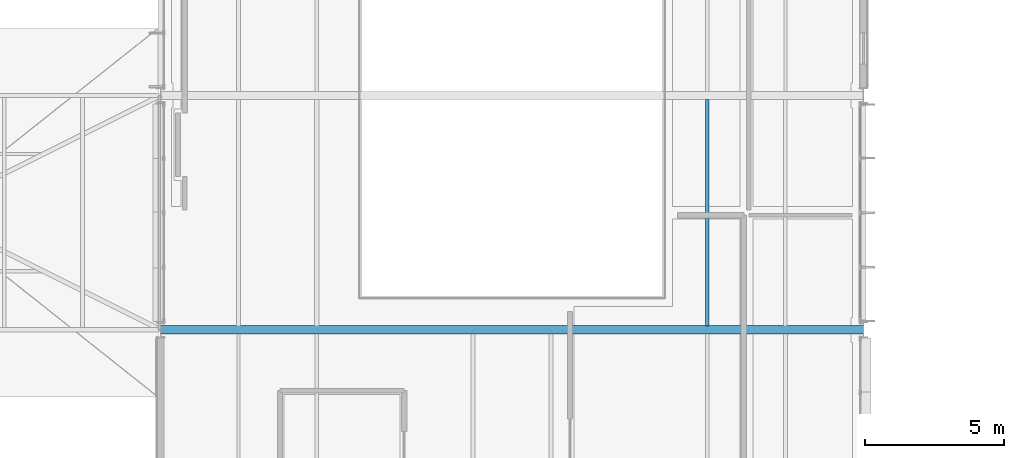
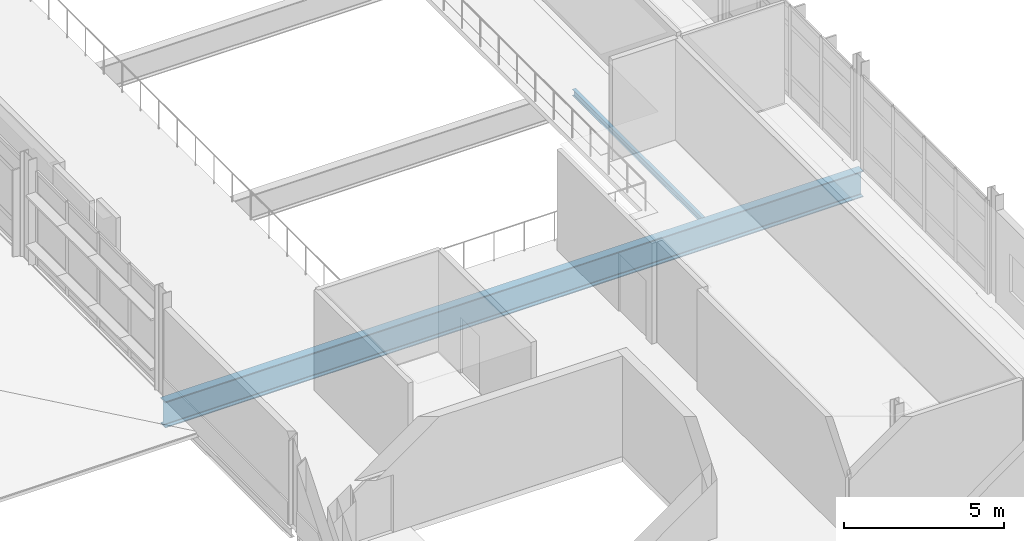
# One storey, part 33 of 151: 2 beams.
"""IFC4 building model written with IfcOpenShell, lengths in metres."""

import ifcopenshell
import ifcopenshell.guid

model = None  # the IFC model being written
_history = None  # IfcOwnerHistory: only IFC2X3 demands one
_inside = {}  # id of a spatial element -> (the spatial element, [elements in it])
_under = {}  # id of a project, library or spatial element -> (it, [spatial elements below it])
_declared = {}  # id of a project -> (the project, [libraries it declares])
_typed = {}  # id of a type object -> (the type object, [elements of that type])
_made_of = {}  # id of a material, layer set ... -> (it, [elements and type objects made of it])


def new_model(schema):
    """Start an empty IFC model of exactly this schema.

    Asked for "IFC4X3", IfcOpenShell would pick the latest addendum, in which some entities
    have other attributes; the version numbers below select the first issue.
    IFC2X3 requires an IfcOwnerHistory on every rooted entity: one is made here for all.
    """
    global model, _history
    if schema == "IFC4X3":
        model = ifcopenshell.file(schema_version=(4, 3, 0, 0))
    else:
        model = ifcopenshell.file(schema=schema)
    _inside.clear()
    _under.clear()
    _declared.clear()
    _typed.clear()
    _made_of.clear()
    _history = None
    if model.schema == "IFC2X3":
        org = make("IfcOrganization", Name="unknown")
        user = make(
            "IfcPersonAndOrganization",
            ThePerson=make("IfcPerson", FamilyName="unknown"),
            TheOrganization=org,
        )
        app = make(
            "IfcApplication",
            ApplicationDeveloper=org,
            Version="unknown",
            ApplicationFullName="unknown",
            ApplicationIdentifier="unknown",
        )
        _history = make(
            "IfcOwnerHistory",
            OwningUser=user,
            OwningApplication=app,
            ChangeAction="ADDED",
            CreationDate=0,
        )
    return model


def make(cls, **values):
    """One entity of the class cls with the attributes given. An attribute that is None is left unset."""
    return model.create_entity(
        cls, **{name: value for name, value in values.items() if value is not None}
    )


def rooted(cls, **values):
    """An entity with a GlobalId (a new one), such as an element, a storey or a relation."""
    return make(cls, GlobalId=ifcopenshell.guid.new(), OwnerHistory=_history, **values)


def si_unit(unit_type, name, prefix=None):
    """IfcSIUnit, for example si_unit("LENGTHUNIT", "METRE", prefix="MILLI")."""
    return make("IfcSIUnit", UnitType=unit_type, Prefix=prefix, Name=name)


def assignment(units):
    """IfcUnitAssignment: the units of a project."""
    return None if units is None else make("IfcUnitAssignment", Units=units)


def point(xyz):
    """IfcCartesianPoint."""
    return None if xyz is None else make("IfcCartesianPoint", Coordinates=xyz)


def direction(xyz):
    """IfcDirection."""
    return None if xyz is None else make("IfcDirection", DirectionRatios=xyz)


def frame(location, z_axis=None, x_axis=None):
    """IfcAxis2Placement3D, a coordinate frame: its origin and axes. An axis left out is left unset."""
    return make(
        "IfcAxis2Placement3D",
        Location=point(location),
        Axis=direction(z_axis),
        RefDirection=direction(x_axis),
    )


def frame_2d(location, x_axis=None):
    """IfcAxis2Placement2D, a coordinate frame in the plane: its origin and x axis."""
    return make(
        "IfcAxis2Placement2D", Location=point(location), RefDirection=direction(x_axis)
    )


def origin():
    """The frame at (0, 0, 0) with its axes left unset."""
    return frame((0.0, 0.0, 0.0))


def origin_2d():
    """The frame at (0, 0) in the plane with its x axis left unset."""
    return frame_2d((0.0, 0.0))


def place(relative_to, where):
    """IfcLocalPlacement: puts the frame where relative to a parent placement (None: the world)."""
    return make(
        "IfcLocalPlacement", PlacementRelTo=relative_to, RelativePlacement=where
    )


def context(
    kind, dimensions, precision=None, world=None, true_north=None, identifier=None
):
    """IfcGeometricRepresentationContext, for example the 3D "Model" context."""
    return make(
        "IfcGeometricRepresentationContext",
        ContextIdentifier=identifier,
        ContextType=kind,
        CoordinateSpaceDimension=dimensions,
        Precision=precision,
        WorldCoordinateSystem=world,
        TrueNorth=true_north,
    )


def subcontext(parent, identifier, kind, view, scale=None):
    """IfcGeometricRepresentationSubContext, for example "Body" below "Model"."""
    return make(
        "IfcGeometricRepresentationSubContext",
        ContextIdentifier=identifier,
        ContextType=kind,
        ParentContext=parent,
        TargetScale=scale,
        TargetView=view,
    )


def project(units=None, contexts=None):
    """IfcProject with its units and contexts."""
    return rooted(
        "IfcProject",
        Name="project",
        RepresentationContexts=contexts,
        UnitsInContext=assignment(units),
    )


def spatial(cls, under=None, at=None, **own):
    """A site, building, storey or space (cls), placed at a placement, below another one or the project."""
    s = rooted(cls, ObjectPlacement=at, **own)
    if under is not None:
        _under.setdefault(under.id(), (under, []))[1].append(s)
    return s


def profile(cls, at=None, kind="AREA", **sizes):
    """A parametric profile (cls). Its sizes go by their IFC names, for example OverallWidth=200.0."""
    return make(cls, ProfileType=kind, Position=at, **sizes)


def i_section(**sizes):
    """IfcIShapeProfileDef."""
    return profile("IfcIShapeProfileDef", **sizes)


def extrude(swept, where, along, depth):
    """IfcExtrudedAreaSolid: the profile swept, set in the frame where, extruded along a direction by depth."""
    return make(
        "IfcExtrudedAreaSolid",
        SweptArea=swept,
        Position=where,
        ExtrudedDirection=direction(along),
        Depth=depth,
    )


def shape(context_of_items, identifier, shape_type, items):
    """IfcShapeRepresentation: the items that make up one representation, for example the "Body"."""
    return make(
        "IfcShapeRepresentation",
        ContextOfItems=context_of_items,
        RepresentationIdentifier=identifier,
        RepresentationType=shape_type,
        Items=items,
    )


def material(Name=None, Category=None):
    """IfcMaterial."""
    return make("IfcMaterial", Name=Name, Category=Category)


def material_profile(
    of_material, cross_section, Name=None, Category=None, Priority=None
):
    """IfcMaterialProfile: a cross section and its material."""
    return make(
        "IfcMaterialProfile",
        Name=Name,
        Material=of_material,
        Profile=cross_section,
        Priority=Priority,
        Category=Category,
    )


def profile_set(profiles, Name=None, composite=None):
    """IfcMaterialProfileSet."""
    return make(
        "IfcMaterialProfileSet",
        Name=Name,
        MaterialProfiles=profiles,
        CompositeProfile=composite,
    )


def made_of(thing, what):
    """Note that an element or type object is made of a material, layer set ...; save() writes the relation."""
    if what is not None:
        _made_of.setdefault(what.id(), (what, []))[1].append(thing)
    return thing


def type_object(cls, material=None, **own):
    """A type object (cls), such as IfcWallType, which elements share."""
    return made_of(rooted(cls, **own), material)


def element(
    cls,
    number,
    at=None,
    inside=None,
    cuts=None,
    type_object=None,
    material=None,
    context=None,
    identifier="Body",
    shape_type=None,
    held_by="IfcProductDefinitionShape",
    body=None,
    shapes=None,
    **own,
):
    """One element of the class cls, such as IfcWall. Its Tag is "e" and its number.

    at: its placement. inside: the storey or other place that contains it. cuts: it is an
    opening in that element (IfcRelVoidsElement). A single representation is given by context,
    identifier, shape_type and body (its items); several are given by shapes. held_by: the class
    of the entity that holds the representations. save() writes the other relations.
    """
    e = rooted(cls, Tag="e%d" % number, ObjectPlacement=at, **own)
    if body is not None:
        shapes = [shape(context, identifier, shape_type, body)]
    if shapes is not None:
        e.Representation = make(held_by, Representations=shapes)
    if inside is not None:
        _inside.setdefault(inside.id(), (inside, []))[1].append(e)
    if cuts is not None:
        rooted(
            "IfcRelVoidsElement", RelatingBuildingElement=cuts, RelatedOpeningElement=e
        )
    if type_object is not None:
        _typed.setdefault(type_object.id(), (type_object, []))[1].append(e)
    return made_of(e, material)


def aggregate(whole, parts):
    """IfcRelAggregates: a whole, such as a stair, and the parts it consists of."""
    return rooted("IfcRelAggregates", RelatingObject=whole, RelatedObjects=parts)


def save(model, path):
    """Write the relations noted so far, then the file.

    IfcRelAggregates (storeys below a building ...), IfcRelContainedInSpatialStructure (elements
    in a storey), IfcRelDefinesByType, IfcRelAssociatesMaterial and IfcRelDeclares: one each for
    every whole, place, type object, material and project.
    """
    for whole, parts in _under.values():
        aggregate(whole, parts)
    for where, things in _inside.values():
        rooted(
            "IfcRelContainedInSpatialStructure",
            RelatedElements=things,
            RelatingStructure=where,
        )
    for kind, things in _typed.values():
        rooted("IfcRelDefinesByType", RelatedObjects=things, RelatingType=kind)
    for what, things in _made_of.values():
        rooted("IfcRelAssociatesMaterial", RelatedObjects=things, RelatingMaterial=what)
    for by, libraries in _declared.values():
        rooted("IfcRelDeclares", RelatingContext=by, RelatedDefinitions=libraries)
    model.write(path)


model = new_model("IFC4")

# Units and contexts
model_context = context("Model", 3, precision=1e-05, world=origin(), true_north=direction((0.0, 1.0)))
body_context = subcontext(model_context, "Body", "Model", "MODEL_VIEW")
ifc_project = project(units=[si_unit("LENGTHUNIT", "METRE"), si_unit("AREAUNIT", "SQUARE_METRE"), si_unit("VOLUMEUNIT", "CUBIC_METRE"), si_unit("PLANEANGLEUNIT", "RADIAN"), si_unit("MASSUNIT", "GRAM", prefix="KILO")], contexts=[model_context])

# Site, building, storey
site_placement = place(None, origin())
site = spatial("IfcSite", under=ifc_project, at=site_placement, CompositionType="ELEMENT")
building_placement = place(site_placement, origin())
building = spatial("IfcBuilding", under=site, at=building_placement, Name="Mersafa Astral City Hall", CompositionType="ELEMENT")
storey_placement = place(building_placement, frame((0.0, 0.0, 9.89990234375)))
storey = spatial("IfcBuildingStorey", under=building, at=storey_placement, Name="L02", CompositionType="ELEMENT", Elevation=9.89990234375)

# Beams
ifc_material = material(Name="Steel S355", Category="steel")
ifc_material_profile_1 = material_profile(ifc_material, i_section(OverallWidth=0.1201171875, OverallDepth=0.239990234375, WebThickness=0.006103515625, FlangeThickness=0.009765625, FilletRadius=0.014892578125, at=origin_2d()), Name="IPE 240")
ifc_profile_set_1 = profile_set([ifc_material_profile_1], Name="Steel S355")
beam_type_1 = type_object("IfcBeamType", Name="STR-BM-JOIST-IPE240", PredefinedType="JOIST", material=ifc_profile_set_1)
beam_1_placement = place(storey_placement, frame((112.0, 50.544921875, -0.31982421875), z_axis=(0.0, 1.0, 0.0), x_axis=(-1.0, 0.0, 0.0)))
element("IfcBeam", 1, at=beam_1_placement, inside=storey, type_object=beam_type_1, Name="L02 Composite secondary floor joist 476", PredefinedType="JOIST", context=body_context, shape_type="SweptSolid", body=[
    extrude(i_section(OverallWidth=0.1201171875, OverallDepth=0.239990234375, WebThickness=0.006103515625, FlangeThickness=0.009765625, FilletRadius=0.014892578125, at=origin_2d()), origin(), (0.0, 0.0, 1.0), 8.110107421875),
])
ifc_material_profile_2 = material_profile(ifc_material, i_section(OverallWidth=0.300048828125, OverallDepth=1.0, WebThickness=0.01904296875, FlangeThickness=0.035888671875, FilletRadius=0.030029296875, at=origin_2d()), Name="HEB 1000")
ifc_profile_set_2 = profile_set([ifc_material_profile_2], Name="Steel S355")
beam_type_2 = type_object("IfcBeamType", Name="STR-BM-PORTAL-HEB1000", PredefinedType="BEAM", material=ifc_profile_set_2)
beam_2_placement = place(storey_placement, frame((92.403076171875, 50.39990234375, -0.699951171875), z_axis=(1.0, 0.0, 0.0), x_axis=(0.0, 1.0, 0.0)))
element("IfcBeam", 2, at=beam_2_placement, inside=storey, type_object=beam_type_2, Name="L02 Public Service Hall clear-span portal girder 6", PredefinedType="BEAM", context=body_context, shape_type="SweptSolid", body=[
    extrude(i_section(OverallWidth=0.300048828125, OverallDepth=1.0, WebThickness=0.01904296875, FlangeThickness=0.035888671875, FilletRadius=0.030029296875, at=origin_2d()), origin(), (0.0, 0.0, 1.0), 25.19384765625),
])

save(model, "model.ifc")
